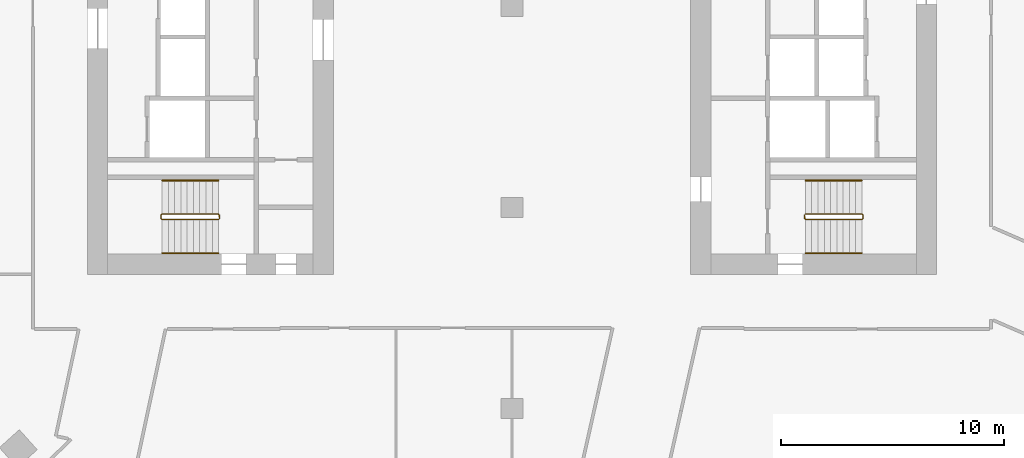
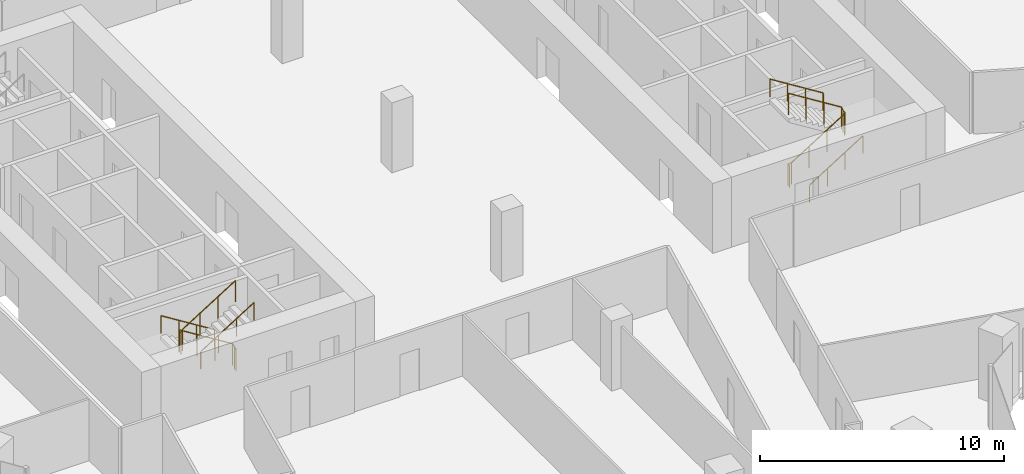
# One storey, part 30 of 32: 6 railings.
"""IFC4 building model written with IfcOpenShell, lengths in metres."""

from ifc_helpers import new_model, si_unit, direction, frame, origin, origin_2d, place, context, subcontext, project, spatial, circle, extrude, material, type_object, element, save


model = new_model("IFC4")

# Units and contexts
model_context = context("Model", 3, precision=1e-05, world=origin(), true_north=direction((0.0, 1.0)))
body_context = subcontext(model_context, "Body", "Model", "MODEL_VIEW")
ifc_project = project(units=[si_unit("LENGTHUNIT", "METRE"), si_unit("AREAUNIT", "SQUARE_METRE"), si_unit("VOLUMEUNIT", "CUBIC_METRE"), si_unit("PLANEANGLEUNIT", "RADIAN"), si_unit("MASSUNIT", "GRAM", prefix="KILO")], contexts=[model_context])

# Site, building, storey
site_placement = place(None, origin())
site = spatial("IfcSite", under=ifc_project, at=site_placement, CompositionType="ELEMENT")
building_placement = place(site_placement, origin())
building = spatial("IfcBuilding", under=site, at=building_placement, Name="Orlundy Tower", CompositionType="ELEMENT")
storey_placement = place(building_placement, frame((0.0, 0.0, 149.10009765625)))
storey = spatial("IfcBuildingStorey", under=building, at=storey_placement, Name="L38", CompositionType="ELEMENT", Elevation=149.10009765625)

# Railings
ifc_material_1 = material(Name="Steel balustrade", Category="steel")
railing_type_1 = type_object("IfcRailingType", Name="Stair Guard 1100", PredefinedType="GUARDRAIL", material=ifc_material_1)
railing_1_placement = place(storey_placement, frame((-13.090087890625, -9.35009765625, 0.0)))
element("IfcRailing", 1, at=railing_1_placement, inside=storey, type_object=railing_type_1, Name="L38 ST-W2 stair guard 1", PredefinedType="GUARDRAIL", context=body_context, shape_type="SweptSolid", body=[
    extrude(circle(Radius=0.02392578125, at=origin_2d()), frame((0.0, 0.0, 1.076171875), z_axis=(0.0, -1.0, 0.0), x_axis=(1.0, 0.0, 0.0)), (0.0, 0.0, 1.0), 0.14990234375),
    extrude(circle(Radius=0.02392578125, at=origin_2d()), frame((0.0, -0.14990234375, 1.076171875), z_axis=(-0.184313129624, 0.739963005698, 0.646902945152), x_axis=(-0.970351222016, -0.241699205484, 0.0)), (0.0, 0.0, 1.0), 0.270263671875),
    extrude(circle(Radius=0.02392578125, at=origin_2d()), frame((-0.0498046875, 0.050048828125, 1.2509765625), z_axis=(-0.847970611238, 0.0, 0.530043245855), x_axis=(0.0, -1.0, 0.0)), (0.0, 0.0, 1.0), 2.971923828125),
    extrude(circle(Radius=0.02392578125, at=origin_2d()), frame((-2.56982421875, 0.050048828125, 2.826171875), z_axis=(-0.707106781187, -0.707106781187, 0.0), x_axis=(0.707106781187, -0.707106781187, 0.0)), (0.0, 0.0, 1.0), 0.07080078125),
    extrude(circle(Radius=0.02392578125, at=origin_2d()), frame((-2.619873046875, 0.0, 2.826171875), z_axis=(0.0, -1.0, 0.0), x_axis=(1.0, 0.0, 0.0)), (0.0, 0.0, 1.0), 0.14990234375),
    extrude(circle(Radius=0.02392578125, at=origin_2d()), frame((-2.619873046875, -0.14990234375, 2.826171875), z_axis=(0.265383341853, -0.265383341853, 0.926899867156), x_axis=(0.707106781187, 0.707106781187, 0.0)), (0.0, 0.0, 1.0), 0.1884765625),
    extrude(circle(Radius=0.02392578125, at=origin_2d()), frame((-2.56982421875, -0.199951171875, 3.0009765625), z_axis=(0.847970611238, 0.0, 0.530043245855), x_axis=(0.0, 1.0, 0.0)), (0.0, 0.0, 1.0), 2.971923828125),
    extrude(circle(Radius=0.02099609375, at=origin_2d()), origin(), (0.0, 0.0, 1.0), 1.052001953125),
    extrude(circle(Radius=0.02099609375, at=origin_2d()), frame((0.0, -0.14990234375, 0.0)), (0.0, 0.0, 1.0), 1.052001953125),
    extrude(circle(Radius=0.02099609375, at=origin_2d()), frame((-0.0498046875, 0.050048828125, 0.1748046875)), (0.0, 0.0, 1.0), 1.052001953125),
    extrude(circle(Radius=0.02099609375, at=origin_2d()), frame((-0.889892578125, 0.050048828125, 0.699951171875)), (0.0, 0.0, 1.0), 1.052001953125),
    extrude(circle(Radius=0.02099609375, at=origin_2d()), frame((-1.729736328125, 0.050048828125, 1.224853515625)), (0.0, 0.0, 1.0), 1.052001953125),
    extrude(circle(Radius=0.02099609375, at=origin_2d()), frame((-2.56982421875, 0.050048828125, 1.75)), (0.0, 0.0, 1.0), 1.052001953125),
    extrude(circle(Radius=0.02099609375, at=origin_2d()), frame((-2.619873046875, 0.0, 1.75)), (0.0, 0.0, 1.0), 1.052001953125),
    extrude(circle(Radius=0.02099609375, at=origin_2d()), frame((-2.619873046875, -0.14990234375, 1.75)), (0.0, 0.0, 1.0), 1.052001953125),
    extrude(circle(Radius=0.02099609375, at=origin_2d()), frame((-2.56982421875, -0.199951171875, 1.9248046875)), (0.0, 0.0, 1.0), 1.052001953125),
    extrude(circle(Radius=0.02099609375, at=origin_2d()), frame((-1.729736328125, -0.199951171875, 2.449951171875)), (0.0, 0.0, 1.0), 1.052001953125),
    extrude(circle(Radius=0.02099609375, at=origin_2d()), frame((-0.889892578125, -0.199951171875, 2.974853515625)), (0.0, 0.0, 1.0), 1.052001953125),
    extrude(circle(Radius=0.02099609375, at=origin_2d()), frame((-0.0498046875, -0.199951171875, 3.5)), (0.0, 0.0, 1.0), 1.052001953125),
])
railing_2_placement = place(storey_placement, frame((13.090087890625, -9.5, 0.0)))
element("IfcRailing", 2, at=railing_2_placement, inside=storey, type_object=railing_type_1, Name="L38 ST-E1 stair guard 1", PredefinedType="GUARDRAIL", context=body_context, shape_type="SweptSolid", body=[
    extrude(circle(Radius=0.02392578125, at=origin_2d()), frame((0.0, 0.0, 1.076171875), z_axis=(0.0, 1.0, 0.0), x_axis=(-1.0, 0.0, 0.0)), (0.0, 0.0, 1.0), 0.14990234375),
    extrude(circle(Radius=0.02392578125, at=origin_2d()), frame((0.0, 0.14990234375, 1.076171875), z_axis=(0.184313129624, -0.739963005698, 0.646902945152), x_axis=(0.970351222016, 0.241699205484, 0.0)), (0.0, 0.0, 1.0), 0.270263671875),
    extrude(circle(Radius=0.02392578125, at=origin_2d()), frame((0.0498046875, -0.050048828125, 1.2509765625), z_axis=(0.847970611238, 0.0, 0.530043245855), x_axis=(0.0, 1.0, 0.0)), (0.0, 0.0, 1.0), 2.971923828125),
    extrude(circle(Radius=0.02392578125, at=origin_2d()), frame((2.56982421875, -0.050048828125, 2.826171875), z_axis=(0.707106781187, 0.707106781187, 0.0), x_axis=(-0.707106781187, 0.707106781187, 0.0)), (0.0, 0.0, 1.0), 0.07080078125),
    extrude(circle(Radius=0.02392578125, at=origin_2d()), frame((2.619873046875, 0.0, 2.826171875), z_axis=(0.0, 1.0, 0.0), x_axis=(-1.0, 0.0, 0.0)), (0.0, 0.0, 1.0), 0.14990234375),
    extrude(circle(Radius=0.02392578125, at=origin_2d()), frame((2.619873046875, 0.14990234375, 2.826171875), z_axis=(-0.265383341853, 0.265383341853, 0.926899867156), x_axis=(-0.707106781187, -0.707106781187, 0.0)), (0.0, 0.0, 1.0), 0.1884765625),
    extrude(circle(Radius=0.02392578125, at=origin_2d()), frame((2.56982421875, 0.199951171875, 3.0009765625), z_axis=(-0.847970611238, 0.0, 0.530043245855), x_axis=(0.0, -1.0, 0.0)), (0.0, 0.0, 1.0), 2.971923828125),
    extrude(circle(Radius=0.02099609375, at=origin_2d()), origin(), (0.0, 0.0, 1.0), 1.052001953125),
    extrude(circle(Radius=0.02099609375, at=origin_2d()), frame((0.0, 0.14990234375, 0.0)), (0.0, 0.0, 1.0), 1.052001953125),
    extrude(circle(Radius=0.02099609375, at=origin_2d()), frame((0.0498046875, -0.050048828125, 0.1748046875)), (0.0, 0.0, 1.0), 1.052001953125),
    extrude(circle(Radius=0.02099609375, at=origin_2d()), frame((0.889892578125, -0.050048828125, 0.699951171875)), (0.0, 0.0, 1.0), 1.052001953125),
    extrude(circle(Radius=0.02099609375, at=origin_2d()), frame((1.729736328125, -0.050048828125, 1.224853515625)), (0.0, 0.0, 1.0), 1.052001953125),
    extrude(circle(Radius=0.02099609375, at=origin_2d()), frame((2.56982421875, -0.050048828125, 1.75)), (0.0, 0.0, 1.0), 1.052001953125),
    extrude(circle(Radius=0.02099609375, at=origin_2d()), frame((2.619873046875, 0.0, 1.75)), (0.0, 0.0, 1.0), 1.052001953125),
    extrude(circle(Radius=0.02099609375, at=origin_2d()), frame((2.619873046875, 0.14990234375, 1.75)), (0.0, 0.0, 1.0), 1.052001953125),
    extrude(circle(Radius=0.02099609375, at=origin_2d()), frame((2.56982421875, 0.199951171875, 1.9248046875)), (0.0, 0.0, 1.0), 1.052001953125),
    extrude(circle(Radius=0.02099609375, at=origin_2d()), frame((1.729736328125, 0.199951171875, 2.449951171875)), (0.0, 0.0, 1.0), 1.052001953125),
    extrude(circle(Radius=0.02099609375, at=origin_2d()), frame((0.889892578125, 0.199951171875, 2.974853515625)), (0.0, 0.0, 1.0), 1.052001953125),
    extrude(circle(Radius=0.02099609375, at=origin_2d()), frame((0.0498046875, 0.199951171875, 3.5)), (0.0, 0.0, 1.0), 1.052001953125),
])
ifc_material_2 = material(Name="Steel handrail", Category="steel")
railing_type_2 = type_object("IfcRailingType", Name="Stair Handrail 900", PredefinedType="HANDRAIL", material=ifc_material_2)
railing_3_placement = place(storey_placement, frame((-13.139892578125, -7.800048828125, 0.1748046875)))
element("IfcRailing", 3, at=railing_3_placement, inside=storey, type_object=railing_type_2, Name="L38 ST-W2 stair handrail 1", PredefinedType="HANDRAIL", context=body_context, shape_type="SweptSolid", body=[
    extrude(circle(Radius=0.02392578125, at=origin_2d()), frame((0.0, 0.0, 0.8759765625), z_axis=(-0.847970611238, 0.0, 0.530043245855), x_axis=(0.0, -1.0, 0.0)), (0.0, 0.0, 1.0), 2.971923828125),
    extrude(circle(Radius=0.02099609375, at=origin_2d()), origin(), (0.0, 0.0, 1.0), 0.851806640625),
    extrude(circle(Radius=0.02099609375, at=origin_2d()), frame((-0.840087890625, 0.0, 0.525146484375)), (0.0, 0.0, 1.0), 0.851806640625),
    extrude(circle(Radius=0.02099609375, at=origin_2d()), frame((-1.679931640625, 0.0, 1.050048828125)), (0.0, 0.0, 1.0), 0.851806640625),
    extrude(circle(Radius=0.02099609375, at=origin_2d()), frame((-2.52001953125, 0.0, 1.5751953125)), (0.0, 0.0, 1.0), 0.851806640625),
])
for number, where, name in (
    (4, (-15.659912109375, -11.050048828125, 1.9248046875), "L38 ST-W2 stair handrail 2"),
    (5, (13.139892578125, -11.050048828125, 0.1748046875), "L38 ST-E1 stair handrail 1"),
):
    element("IfcRailing", number, at=place(storey_placement, frame(where)), inside=storey, type_object=railing_type_2, Name=name, PredefinedType="HANDRAIL", context=body_context, shape_type="SweptSolid", body=[
        extrude(circle(Radius=0.02392578125, at=origin_2d()), frame((0.0, 0.0, 0.8759765625), z_axis=(0.847970611238, 0.0, 0.530043245855), x_axis=(0.0, 1.0, 0.0)), (0.0, 0.0, 1.0), 2.971923828125),
        extrude(circle(Radius=0.02099609375, at=origin_2d()), origin(), (0.0, 0.0, 1.0), 0.851806640625),
        extrude(circle(Radius=0.02099609375, at=origin_2d()), frame((0.840087890625, 0.0, 0.525146484375)), (0.0, 0.0, 1.0), 0.851806640625),
        extrude(circle(Radius=0.02099609375, at=origin_2d()), frame((1.679931640625, 0.0, 1.050048828125)), (0.0, 0.0, 1.0), 0.851806640625),
        extrude(circle(Radius=0.02099609375, at=origin_2d()), frame((2.52001953125, 0.0, 1.5751953125)), (0.0, 0.0, 1.0), 0.851806640625),
    ])
railing_4_placement = place(storey_placement, frame((15.659912109375, -7.800048828125, 1.9248046875)))
element("IfcRailing", 6, at=railing_4_placement, inside=storey, type_object=railing_type_2, Name="L38 ST-E1 stair handrail 2", PredefinedType="HANDRAIL", context=body_context, shape_type="SweptSolid", body=[
    extrude(circle(Radius=0.02392578125, at=origin_2d()), frame((0.0, 0.0, 0.8759765625), z_axis=(-0.847970611238, 0.0, 0.530043245855), x_axis=(0.0, -1.0, 0.0)), (0.0, 0.0, 1.0), 2.971923828125),
    extrude(circle(Radius=0.02099609375, at=origin_2d()), origin(), (0.0, 0.0, 1.0), 0.851806640625),
    extrude(circle(Radius=0.02099609375, at=origin_2d()), frame((-0.840087890625, 0.0, 0.525146484375)), (0.0, 0.0, 1.0), 0.851806640625),
    extrude(circle(Radius=0.02099609375, at=origin_2d()), frame((-1.679931640625, 0.0, 1.050048828125)), (0.0, 0.0, 1.0), 0.851806640625),
    extrude(circle(Radius=0.02099609375, at=origin_2d()), frame((-2.52001953125, 0.0, 1.5751953125)), (0.0, 0.0, 1.0), 0.851806640625),
])

save(model, "model.ifc")
